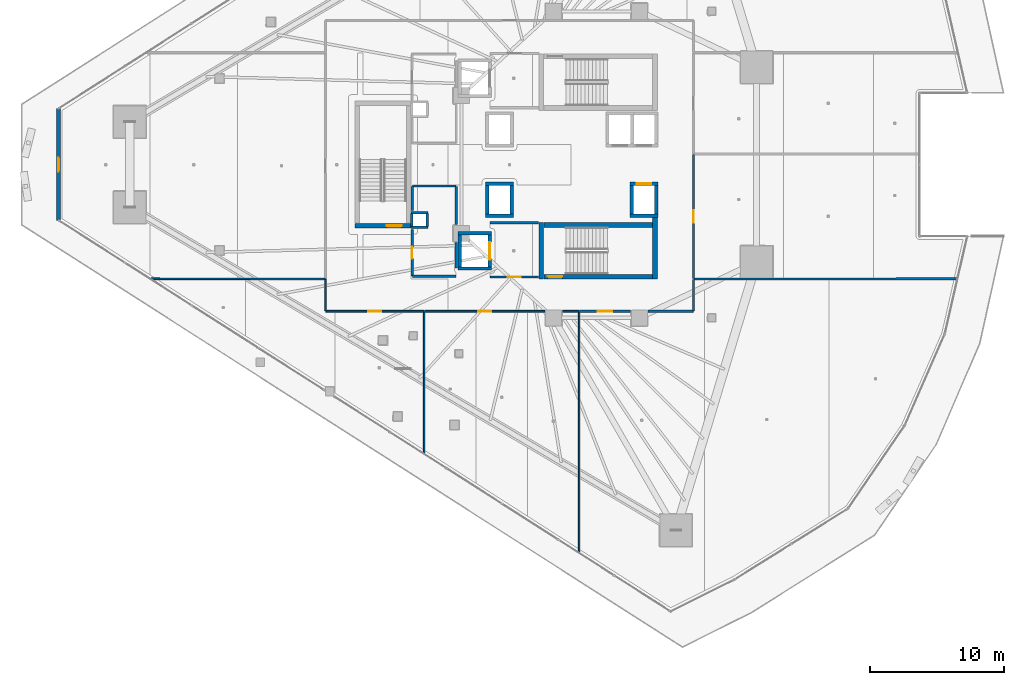
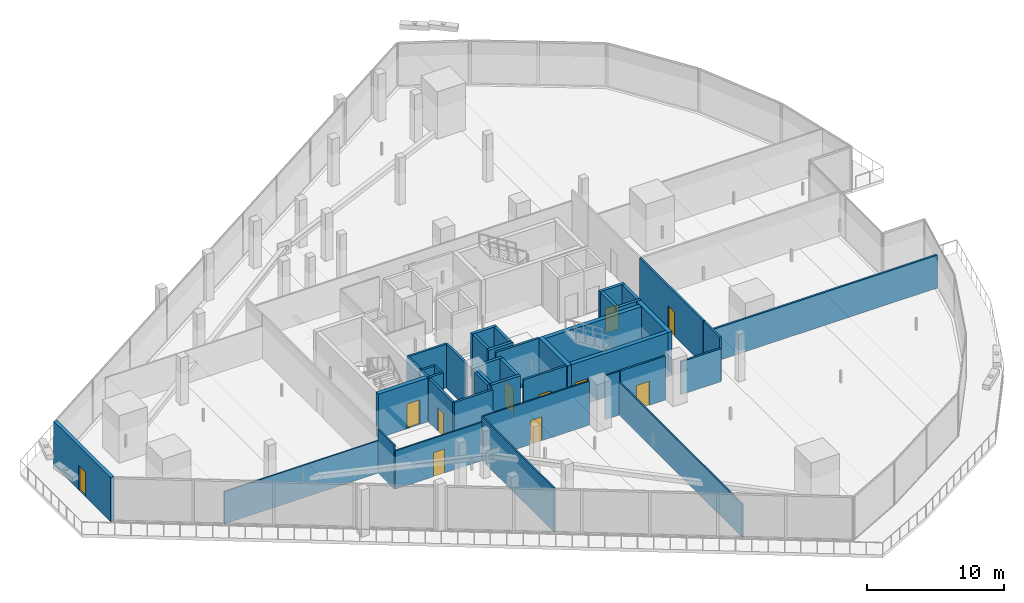
# One storey, part 30 of 45: 42 walls, 11 doors, 11 openings.
"""IFC4 building model written with IfcOpenShell, lengths in metres."""

from ifc_helpers import new_model, si_unit, direction, frame, frame_2d, origin, place, context, subcontext, project, spatial, rectangle, extrude, material, layer, layer_set, type_object, element, fill, save


model = new_model("IFC4")

# Units and contexts
model_context = context("Model", 3, precision=1e-05, world=origin(), true_north=direction((0.0, 1.0)))
body_context = subcontext(model_context, "Body", "Model", "MODEL_VIEW")
ifc_project = project(units=[si_unit("LENGTHUNIT", "METRE"), si_unit("AREAUNIT", "SQUARE_METRE"), si_unit("VOLUMEUNIT", "CUBIC_METRE"), si_unit("PLANEANGLEUNIT", "RADIAN"), si_unit("MASSUNIT", "GRAM", prefix="KILO")], contexts=[model_context])

# Site, building, storey
site_placement = place(None, origin())
site = spatial("IfcSite", under=ifc_project, at=site_placement, CompositionType="ELEMENT")
building_placement = place(site_placement, origin())
building = spatial("IfcBuilding", under=site, at=building_placement, Name="Qorvath Tower", CompositionType="ELEMENT")
storey_placement = place(building_placement, frame((0.0, 0.0, 49.199951171875)))
storey = spatial("IfcBuildingStorey", under=building, at=storey_placement, Name="L10", CompositionType="ELEMENT", Elevation=49.199951171875)

# Walls
ifc_material_1 = material(Name="Gypsum shaftliner on steel studs", Category="steel")
ifc_layer_1 = layer(ifc_material_1, 0.179931640625)
ifc_layer_set_1 = layer_set([ifc_layer_1], Name="FW-LOBBY")
wall_type_1 = type_object("IfcWallType", Name="FW-LOBBY", PredefinedType="PARTITIONING", material=ifc_layer_set_1)
for number, where, z_axis, x_axis, name in (
    (1, (-32.989990234375, -4.675048828125, 0.0), (0.0, 0.0, 1.0), (-1.0, 0.0, 0.0), "MEP Riser Shaft Enclosure Wall S-L10-S"),
    (2, (-34.260009765625, -3.594970703125, 0.0), (0.0, 0.0, 1.0), (1.0, 0.0, 0.0), "MEP Riser Shaft Enclosure Wall S-L10-N"),
):
    element("IfcWall", number, at=place(storey_placement, frame(where, z_axis=z_axis, x_axis=x_axis)), inside=storey, type_object=wall_type_1, Name=name, PredefinedType="PARTITIONING", context=body_context, shape_type="SweptSolid", body=[
        extrude(rectangle(XDim=1.27001953125, YDim=0.179931640625, at=frame_2d((0.635009765625, 0.0))), origin(), (0.0, 0.0, 1.0), 3.920166015625),
    ])
for number, where, z_axis, x_axis, name in (
    (3, (-34.205078125, -4.610107421875, 0.0), (0.0, 0.0, 1.0), (0.0, 1.0, 0.0), "MEP Riser Shaft Enclosure Wall S-L10-W"),
    (4, (-33.044921875, -3.659912109375, 0.0), (0.0, 0.0, 1.0), (0.0, -1.0, 0.0), "MEP Riser Shaft Enclosure Wall S-L10-E"),
):
    element("IfcWall", number, at=place(storey_placement, frame(where, z_axis=z_axis, x_axis=x_axis)), inside=storey, type_object=wall_type_1, Name=name, PredefinedType="PARTITIONING", context=body_context, shape_type="SweptSolid", body=[
        extrude(rectangle(XDim=0.9501953125, YDim=0.179931640625, at=frame_2d((0.47509765625, 0.0))), origin(), (0.0, 0.0, 1.0), 3.920166015625),
    ])

# Wall, opening, door
wall_1_placement = place(storey_placement, frame((-28.35498046875, -8.39990234375, 0.0), z_axis=(0.0, 0.0, 1.0), x_axis=(1.0, 0.0, 0.0)))
wall_1 = element("IfcWall", 5, at=wall_1_placement, inside=storey, type_object=wall_type_1, Name="Interior Partition IW-T1-L10-003", PredefinedType="PARTITIONING", context=body_context, shape_type="SweptSolid", body=[
    extrude(rectangle(XDim=3.6220703125, YDim=0.179931640625, at=frame_2d((1.81103515625, 0.0))), origin(), (0.0, 0.0, 1.0), 3.920166015625),
])
opening_1_placement = place(wall_1_placement, frame((1.31103515625, 0.0, 0.0)))
opening_1 = element("IfcOpeningElement", 6, at=opening_1_placement, cuts=wall_1, Name="Opening D-T1-L10-11", PredefinedType="OPENING", context=body_context, shape_type="SweptSolid", body=[
    extrude(rectangle(XDim=1.0, YDim=2.14990234375, at=frame_2d((0.5, 1.074951171875))), frame((0.0, 0.10009765625, 0.0), z_axis=(0.0, -1.0, 0.0), x_axis=(1.0, 0.0, 0.0)), (0.0, 0.0, 1.0), 0.199951171875),
])
ifc_material_2 = material(Name="Painted galvanised hollow metal", Category="steel")
door_type_1 = type_object("IfcDoorType", Name="FD-60", OperationType="NOTDEFINED", PredefinedType="DOOR", material=ifc_material_2)
door_1_placement = place(opening_1_placement, origin())
door_1 = element("IfcDoor", 7, at=door_1_placement, inside=storey, type_object=door_type_1, Name="Lobby Fire Service Elevator South Door D-T1-L10-11", OperationType="SINGLE_SWING_RIGHT", OverallHeight=2.14990234375, OverallWidth=1.0, PredefinedType="DOOR", context=body_context, shape_type="SweptSolid", body=[
    extrude(rectangle(XDim=1.0, YDim=2.14990234375, at=frame_2d((0.5, 1.074951171875))), frame((0.0, 0.02490234375, 0.0), z_axis=(0.0, -1.0, 0.0), x_axis=(1.0, 0.0, 0.0)), (0.0, 0.0, 1.0), 0.050048828125),
])
fill(opening_1, door_1)

# Walls
wall_2_placement = place(storey_placement, frame((-24.73291015625, -4.35009765625, 0.0), z_axis=(0.0, 0.0, 1.0), x_axis=(-1.0, 0.0, 0.0)))
element("IfcWall", 8, at=wall_2_placement, inside=storey, type_object=wall_type_1, Name="Interior Partition IW-T1-L10-004", PredefinedType="PARTITIONING", context=body_context, shape_type="SweptSolid", body=[
    extrude(rectangle(XDim=3.6220703125, YDim=0.179931640625, at=frame_2d((1.81103515625, 0.0))), origin(), (0.0, 0.0, 1.0), 3.920166015625),
])
wall_3_placement = place(storey_placement, frame((-34.15478515625, -8.35009765625, 0.0), z_axis=(0.0, 0.0, 1.0), x_axis=(1.0, 0.0, 0.0)))
element("IfcWall", 9, at=wall_3_placement, inside=storey, type_object=wall_type_1, Name="Interior Partition IW-T1-L10-011", PredefinedType="PARTITIONING", context=body_context, shape_type="SweptSolid", body=[
    extrude(rectangle(XDim=3.25, YDim=0.179931640625, at=frame_2d((1.625, 0.0))), origin(), (0.0, 0.0, 1.0), 3.920166015625),
])
wall_4_placement = place(storey_placement, frame((-30.8798828125, -7.742919921875, 0.0), z_axis=(0.0, 0.0, 1.0), x_axis=(0.0, 1.0, 0.0)))
element("IfcWall", 10, at=wall_4_placement, inside=storey, type_object=wall_type_1, Name="Interior Partition IW-T1-L10-012", PredefinedType="PARTITIONING", context=body_context, shape_type="SweptSolid", body=[
    extrude(rectangle(XDim=1.927978515625, YDim=0.179931640625, at=frame_2d((0.9638671875, 0.0))), origin(), (0.0, 0.0, 1.0), 3.920166015625),
])
wall_5_placement = place(storey_placement, frame((-30.8798828125, -4.485107421875, 0.0), z_axis=(0.0, 0.0, 1.0), x_axis=(0.0, 1.0, 0.0)))
element("IfcWall", 11, at=wall_5_placement, inside=storey, type_object=wall_type_1, Name="Interior Partition IW-T1-L10-013", PredefinedType="PARTITIONING", context=body_context, shape_type="SweptSolid", body=[
    extrude(rectangle(XDim=2.860107421875, YDim=0.179931640625, at=frame_2d((1.43017578125, 0.0))), origin(), (0.0, 0.0, 1.0), 3.920166015625),
])
wall_6_placement = place(storey_placement, frame((-30.90478515625, -1.60009765625, 0.0), z_axis=(0.0, 0.0, 1.0), x_axis=(-1.0, 0.0, 0.0)))
element("IfcWall", 12, at=wall_6_placement, inside=storey, type_object=wall_type_1, Name="Interior Partition IW-T1-L10-014", PredefinedType="PARTITIONING", context=body_context, shape_type="SweptSolid", body=[
    extrude(rectangle(XDim=3.25, YDim=0.179931640625, at=frame_2d((1.625, 0.0))), origin(), (0.0, 0.0, 1.0), 3.920166015625),
])
wall_7_placement = place(storey_placement, frame((-34.179931640625, -1.625, 0.0), z_axis=(0.0, 0.0, 1.0), x_axis=(0.0, -1.0, 0.0)))
element("IfcWall", 13, at=wall_7_placement, inside=storey, type_object=wall_type_1, Name="Interior Partition IW-T1-L10-015", PredefinedType="PARTITIONING", context=body_context, shape_type="SweptSolid", body=[
    extrude(rectangle(XDim=1.804931640625, YDim=0.179931640625, at=frame_2d((0.90234375, 0.0))), origin(), (0.0, 0.0, 1.0), 3.920166015625),
])

# Wall, opening, door
wall_8_placement = place(storey_placement, frame((-34.179931640625, -4.840087890625, 0.0), z_axis=(0.0, 0.0, 1.0), x_axis=(0.0, -1.0, 0.0)))
wall_8 = element("IfcWall", 14, at=wall_8_placement, inside=storey, type_object=wall_type_1, Name="Interior Partition IW-T1-L10-016", PredefinedType="PARTITIONING", context=body_context, shape_type="SweptSolid", body=[
    extrude(rectangle(XDim=3.485107421875, YDim=0.179931640625, at=frame_2d((1.74267578125, 0.0))), origin(), (0.0, 0.0, 1.0), 3.920166015625),
])
opening_2_placement = place(wall_8_placement, frame((1.302490234375, 0.0, 0.0)))
opening_2 = element("IfcOpeningElement", 15, at=opening_2_placement, cuts=wall_8, Name="Opening D-T1-L10-02", PredefinedType="OPENING", context=body_context, shape_type="SweptSolid", body=[
    extrude(rectangle(XDim=0.8798828125, YDim=2.10009765625, at=frame_2d((0.43994140625, 1.050048828125))), frame((0.0, 0.10009765625, 0.0), z_axis=(0.0, -1.0, 0.0), x_axis=(1.0, 0.0, 0.0)), (0.0, 0.0, 1.0), 0.199951171875),
])
ifc_material_3 = material(Name="Painted galvanised hollow metal", Category="steel")
door_type_2 = type_object("IfcDoorType", Name="FD-60N", OperationType="NOTDEFINED", PredefinedType="DOOR", material=ifc_material_3)
door_2_placement = place(opening_2_placement, origin())
door_2 = element("IfcDoor", 16, at=door_2_placement, inside=storey, type_object=door_type_2, Name="Core electrical and cleaner room L10 Door D-T1-L10-02", OperationType="SINGLE_SWING_LEFT", OverallHeight=2.10009765625, OverallWidth=0.8798828125, PredefinedType="DOOR", context=body_context, shape_type="SweptSolid", body=[
    extrude(rectangle(XDim=0.8798828125, YDim=2.10009765625, at=frame_2d((0.43994140625, 1.050048828125))), frame((0.0, 0.02490234375, 0.0), z_axis=(0.0, -1.0, 0.0), x_axis=(1.0, 0.0, 0.0)), (0.0, 0.0, 1.0), 0.050048828125),
])
fill(opening_2, door_2)

# Walls
ifc_material_4 = material(Name="Double acoustic gypsum board on steel studs", Category="steel")
ifc_layer_2 = layer(ifc_material_4, 0.159912109375)
ifc_layer_set_2 = layer_set([ifc_layer_2], Name="IW-ACOUSTIC-160")
wall_type_2 = type_object("IfcWallType", Name="IW-ACOUSTIC-160", PredefinedType="PARTITIONING", material=ifc_layer_set_2)
wall_9_placement = place(storey_placement, frame((6.501953125, -8.53466796875, 0.0), z_axis=(0.0, 0.0, 1.0), x_axis=(-0.999999692694, -0.000783971885, 0.0)))
element("IfcWall", 17, at=wall_9_placement, inside=storey, type_object=wall_type_2, Name="Interior Partition IW-T1-L10-030", PredefinedType="PARTITIONING", context=body_context, shape_type="SweptSolid", body=[
    extrude(rectangle(XDim=19.619140625, YDim=0.159912109375, at=frame_2d((9.8095703125, 0.0))), origin(), (0.0, 0.0, 1.0), 2.95703125),
])
wall_10_placement = place(storey_placement, frame((-13.14208984375, -8.574951171875, 0.0), z_axis=(0.0, 0.0, 1.0), x_axis=(0.0, -1.0, 0.0)))
element("IfcWall", 18, at=wall_10_placement, inside=storey, type_object=wall_type_2, Name="Interior Partition IW-T1-L10-031", PredefinedType="PARTITIONING", context=body_context, shape_type="SweptSolid", body=[
    extrude(rectangle(XDim=2.358154296875, YDim=0.159912109375, at=frame_2d((1.17919921875, 0.0))), origin(), (0.0, 0.0, 1.0), 3.920166015625),
])
wall_11_placement = place(storey_placement, frame((-13.1669921875, -10.9580078125, 0.0), z_axis=(0.0, 0.0, 1.0), x_axis=(-1.0, 0.0, 0.0)))
element("IfcWall", 19, at=wall_11_placement, inside=storey, type_object=wall_type_2, Name="Interior Partition IW-T1-L10-032", PredefinedType="PARTITIONING", context=body_context, shape_type="SweptSolid", body=[
    extrude(rectangle(XDim=3.367919921875, YDim=0.159912109375, at=frame_2d((1.68408203125, 0.0))), origin(), (0.0, 0.0, 1.0), 2.95703125),
])

# Wall, opening, door
wall_12_placement = place(storey_placement, frame((-17.864990234375, -10.9580078125, 0.0), z_axis=(0.0, 0.0, 1.0), x_axis=(-1.0, 0.0, 0.0)))
wall_12 = element("IfcWall", 20, at=wall_12_placement, inside=storey, type_object=wall_type_2, Name="Interior Partition IW-T1-L10-033", PredefinedType="PARTITIONING", context=body_context, shape_type="SweptSolid", body=[
    extrude(rectangle(XDim=3.79736328125, YDim=0.159912109375, at=frame_2d((1.898681640625, 0.0))), origin(), (0.0, 0.0, 1.0), 3.920166015625),
])
opening_3_placement = place(wall_12_placement, frame((1.3486328125, 0.0, 0.0)))
opening_3 = element("IfcOpeningElement", 21, at=opening_3_placement, cuts=wall_12, Name="Opening D-T1-L10-06", PredefinedType="OPENING", context=body_context, shape_type="SweptSolid", body=[
    extrude(rectangle(XDim=1.10009765625, YDim=2.14990234375, at=frame_2d((0.550048828125, 1.074951171875))), frame((0.0, 0.08984375, 0.0), z_axis=(0.0, -1.0, 0.0), x_axis=(1.0, 0.0, 0.0)), (0.0, 0.0, 1.0), 0.179931640625),
])
ifc_material_5 = material(Name="Anodised aluminium acoustic framed glass", Category="aluminium")
door_type_3 = type_object("IfcDoorType", Name="D-03", OperationType="NOTDEFINED", PredefinedType="DOOR", material=ifc_material_5)
door_3_placement = place(opening_3_placement, origin())
door_3 = element("IfcDoor", 22, at=door_3_placement, inside=storey, type_object=door_type_3, Name="L10-04 Client Services Office Door D-T1-L10-06", OperationType="SINGLE_SWING_LEFT", OverallHeight=2.14990234375, OverallWidth=1.10009765625, PredefinedType="DOOR", context=body_context, shape_type="SweptSolid", body=[
    extrude(rectangle(XDim=1.10009765625, YDim=2.14990234375, at=frame_2d((0.550048828125, 1.074951171875))), frame((0.0, 0.02490234375, 0.0), z_axis=(0.0, -1.0, 0.0), x_axis=(1.0, 0.0, 0.0)), (0.0, 0.0, 1.0), 0.050048828125),
])
fill(opening_3, door_3)

wall_13_placement = place(storey_placement, frame((-13.14208984375, 0.766357421875, 0.0), z_axis=(0.0, 0.0, 1.0), x_axis=(0.0, -1.0, 0.0)))
wall_13 = element("IfcWall", 23, at=wall_13_placement, inside=storey, type_object=wall_type_2, Name="Interior Partition IW-T1-L10-035", PredefinedType="PARTITIONING", context=body_context, shape_type="SweptSolid", body=[
    extrude(rectangle(XDim=9.283447265625, YDim=0.159912109375, at=frame_2d((4.6416015625, 0.0))), origin(), (0.0, 0.0, 1.0), 3.920166015625),
])
opening_4_placement = place(wall_13_placement, frame((4.166748046875, 0.0, 0.0)))
opening_4 = element("IfcOpeningElement", 24, at=opening_4_placement, cuts=wall_13, Name="Opening D-T1-L10-07", PredefinedType="OPENING", context=body_context, shape_type="SweptSolid", body=[
    extrude(rectangle(XDim=0.949951171875, YDim=2.14990234375, at=frame_2d((0.47509765625, 1.074951171875))), frame((0.0, 0.08984375, 0.0), z_axis=(0.0, -1.0, 0.0), x_axis=(1.0, 0.0, 0.0)), (0.0, 0.0, 1.0), 0.179931640625),
])
ifc_material_6 = material(Name="Solid-core American white oak veneer", Category="wood")
door_type_4 = type_object("IfcDoorType", Name="D-01", OperationType="NOTDEFINED", PredefinedType="DOOR", material=ifc_material_6)
door_4_placement = place(opening_4_placement, origin())
door_4 = element("IfcDoor", 25, at=door_4_placement, inside=storey, type_object=door_type_4, Name="L10-05 Staff Wellness Studio Door D-T1-L10-07", OperationType="SINGLE_SWING_RIGHT", OverallHeight=2.14990234375, OverallWidth=0.949951171875, PredefinedType="DOOR", context=body_context, shape_type="SweptSolid", body=[
    extrude(rectangle(XDim=0.949951171875, YDim=2.14990234375, at=frame_2d((0.47509765625, 1.074951171875))), frame((0.0, 0.02490234375, 0.0), z_axis=(0.0, -1.0, 0.0), x_axis=(1.0, 0.0, 0.0)), (0.0, 0.0, 1.0), 0.050048828125),
])
fill(opening_4, door_4)

# Wall
ifc_material_7 = material(Name="Gypsum board on metal studs with mineral wool", Category="gypsum")
ifc_layer_3 = layer(ifc_material_7, 0.125)
ifc_layer_set_3 = layer_set([ifc_layer_3], Name="IW-PART-125")
wall_type_3 = type_object("IfcWallType", Name="IW-PART-125", PredefinedType="PARTITIONING", material=ifc_layer_set_3)
wall_14_placement = place(storey_placement, frame((-33.282470703125, -21.55615234375, 0.0), z_axis=(0.0, 0.0, 1.0), x_axis=(0.0, 1.0, 0.0)))
element("IfcWall", 26, at=wall_14_placement, inside=storey, type_object=wall_type_3, Name="Interior Partition IW-T1-L10-023", PredefinedType="PARTITIONING", context=body_context, shape_type="SweptSolid", body=[
    extrude(rectangle(XDim=10.5732421875, YDim=0.125, at=frame_2d((5.28662109375, 0.0))), origin(), (0.0, 0.0, 1.0), 3.920166015625),
])

# Wall, opening, door
wall_15_placement = place(storey_placement, frame((-33.3076171875, -10.9580078125, 0.0), z_axis=(0.0, 0.0, 1.0), x_axis=(-1.0, 0.0, 0.0)))
wall_15 = element("IfcWall", 27, at=wall_15_placement, inside=storey, type_object=wall_type_3, Name="Interior Partition IW-T1-L10-024", PredefinedType="PARTITIONING", context=body_context, shape_type="SweptSolid", body=[
    extrude(rectangle(XDim=7.325439453125, YDim=0.125, at=frame_2d((3.66259765625, 0.0))), origin(), (0.0, 0.0, 1.0), 3.43310546875),
])
opening_5_placement = place(wall_15_placement, frame((3.187744140625, 0.0, 0.0)))
opening_5 = element("IfcOpeningElement", 28, at=opening_5_placement, cuts=wall_15, Name="Opening D-T1-L10-04", PredefinedType="OPENING", context=body_context, shape_type="SweptSolid", body=[
    extrude(rectangle(XDim=0.949951171875, YDim=2.14990234375, at=frame_2d((0.47509765625, 1.074951171875))), frame((0.0, 0.072509765625, 0.0), z_axis=(0.0, -1.0, 0.0), x_axis=(1.0, 0.0, 0.0)), (0.0, 0.0, 1.0), 0.14501953125),
])
door_5_placement = place(opening_5_placement, origin())
door_5 = element("IfcDoor", 29, at=door_5_placement, inside=storey, type_object=door_type_4, Name="L10-02 Focus Collaboration Pod Door D-T1-L10-04", OperationType="SINGLE_SWING_LEFT", OverallHeight=2.14990234375, OverallWidth=0.949951171875, PredefinedType="DOOR", context=body_context, shape_type="SweptSolid", body=[
    extrude(rectangle(XDim=0.949951171875, YDim=2.14990234375, at=frame_2d((0.47509765625, 1.074951171875))), frame((0.0, 0.02490234375, 0.0), z_axis=(0.0, -1.0, 0.0), x_axis=(1.0, 0.0, 0.0)), (0.0, 0.0, 1.0), 0.050048828125),
])
fill(opening_5, door_5)

# Walls
wall_16_placement = place(storey_placement, frame((-40.657958984375, -8.574951171875, 0.0), z_axis=(0.0, 0.0, 1.0), x_axis=(0.0, -1.0, 0.0)))
element("IfcWall", 30, at=wall_16_placement, inside=storey, type_object=wall_type_3, Name="Interior Partition IW-T1-L10-025", PredefinedType="PARTITIONING", context=body_context, shape_type="SweptSolid", body=[
    extrude(rectangle(XDim=2.358154296875, YDim=0.125, at=frame_2d((1.17919921875, 0.0))), origin(), (0.0, 0.0, 1.0), 3.920166015625),
])
wall_17_placement = place(storey_placement, frame((-40.68310546875, -8.550048828125, 0.0), z_axis=(0.0, 0.0, 1.0), x_axis=(-0.99999962754, 0.000863087657, 0.0)))
element("IfcWall", 31, at=wall_17_placement, inside=storey, type_object=wall_type_3, Name="Interior Partition IW-T1-L10-026", PredefinedType="PARTITIONING", context=body_context, shape_type="SweptSolid", body=[
    extrude(rectangle(XDim=13.011962890625, YDim=0.125, at=frame_2d((6.505859375, 0.0))), origin(), (0.0, 0.0, 1.0), 2.89013671875),
])

# Wall, opening, door
wall_18_placement = place(storey_placement, frame((-24.264892578125, -10.9580078125, 0.0), z_axis=(0.0, 0.0, 1.0), x_axis=(-1.0, 0.0, 0.0)))
wall_18 = element("IfcWall", 32, at=wall_18_placement, inside=storey, type_object=wall_type_3, Name="Interior Partition IW-T1-L10-027", PredefinedType="PARTITIONING", context=body_context, shape_type="SweptSolid", body=[
    extrude(rectangle(XDim=8.98486328125, YDim=0.125, at=frame_2d((4.492431640625, 0.0))), origin(), (0.0, 0.0, 1.0), 3.920166015625),
])
opening_6_placement = place(wall_18_placement, frame((4.017333984375, 0.0, 0.0)))
opening_6 = element("IfcOpeningElement", 33, at=opening_6_placement, cuts=wall_18, Name="Opening D-T1-L10-05", PredefinedType="OPENING", context=body_context, shape_type="SweptSolid", body=[
    extrude(rectangle(XDim=0.949951171875, YDim=2.14990234375, at=frame_2d((0.47509765625, 1.074951171875))), frame((0.0, 0.072509765625, 0.0), z_axis=(0.0, -1.0, 0.0), x_axis=(1.0, 0.0, 0.0)), (0.0, 0.0, 1.0), 0.14501953125),
])
door_6_placement = place(opening_6_placement, origin())
door_6 = element("IfcDoor", 34, at=door_6_placement, inside=storey, type_object=door_type_4, Name="L10-03 Staff Refreshment Pantry and Coffee Bar Door D-T1-L10-05", OperationType="SINGLE_SWING_RIGHT", OverallHeight=2.14990234375, OverallWidth=0.949951171875, PredefinedType="DOOR", context=body_context, shape_type="SweptSolid", body=[
    extrude(rectangle(XDim=0.949951171875, YDim=2.14990234375, at=frame_2d((0.47509765625, 1.074951171875))), frame((0.0, 0.02490234375, 0.0), z_axis=(0.0, -1.0, 0.0), x_axis=(1.0, 0.0, 0.0)), (0.0, 0.0, 1.0), 0.050048828125),
])
fill(opening_6, door_6)

# Walls
wall_19_placement = place(storey_placement, frame((-21.6953125, -28.9619140625, 0.0), z_axis=(0.0, 0.0, 1.0), x_axis=(0.0, 1.0, 0.0)))
element("IfcWall", 35, at=wall_19_placement, inside=storey, type_object=wall_type_3, Name="Interior Partition IW-T1-L10-028", PredefinedType="PARTITIONING", context=body_context, shape_type="SweptSolid", body=[
    extrude(rectangle(XDim=17.97900390625, YDim=0.125, at=frame_2d((8.989501953125, 0.0))), origin(), (0.0, 0.0, 1.0), 2.95703125),
])
wall_20_placement = place(storey_placement, frame((-21.72021484375, -10.9580078125, 0.0), z_axis=(0.0, 0.0, 1.0), x_axis=(-1.0, 0.0, 0.0)))
element("IfcWall", 36, at=wall_20_placement, inside=storey, type_object=wall_type_3, Name="Interior Partition IW-T1-L10-029", PredefinedType="PARTITIONING", context=body_context, shape_type="SweptSolid", body=[
    extrude(rectangle(XDim=1.21484375, YDim=0.125, at=frame_2d((0.607421875, 0.0))), origin(), (0.0, 0.0, 1.0), 3.920166015625),
])
ifc_material_8 = material(Name="Concrete C60/75", Category="concrete")
ifc_layer_4 = layer(ifc_material_8, 0.260009765625)
ifc_layer_set_4 = layer_set([ifc_layer_4], Name="SW-SHAFT")
wall_type_4 = type_object("IfcWallType", Name="SW-SHAFT", PredefinedType="SHEAR", material=ifc_layer_set_4)
for number, where, z_axis, x_axis, name in (
    (37, (-28.260009765625, -7.77001953125, 0.0), (0.0, 0.0, 1.0), (-1.0, 0.0, 0.0), "Hoistway Wall FSAE-2 L10 S"),
    (38, (-30.739990234375, -5.1298828125, 0.0), (0.0, 0.0, 1.0), (1.0, 0.0, 0.0), "Hoistway Wall FSAE-2 L10 N"),
):
    element("IfcWall", number, at=place(storey_placement, frame(where, z_axis=z_axis, x_axis=x_axis)), inside=storey, type_object=wall_type_4, Name=name, PredefinedType="SHEAR", context=body_context, shape_type="SweptSolid", body=[
        extrude(rectangle(XDim=2.47998046875, YDim=0.239990234375, at=frame_2d((1.239990234375, 0.0))), origin(), (0.0, 0.0, 1.0), 3.920166015625),
    ])
wall_21_placement = place(storey_placement, frame((-30.6201171875, -7.637939453125, 0.0), z_axis=(0.0, 0.0, 1.0), x_axis=(0.0, 1.0, 0.0)))
element("IfcWall", 39, at=wall_21_placement, inside=storey, type_object=wall_type_4, Name="Hoistway Wall FSAE-2 L10 W", PredefinedType="SHEAR", context=body_context, shape_type="SweptSolid", body=[
    extrude(rectangle(XDim=2.3759765625, YDim=0.239990234375, at=frame_2d((1.18798828125, 0.0))), origin(), (0.0, 0.0, 1.0), 3.920166015625),
])

# Wall, opening, door
wall_22_placement = place(storey_placement, frame((-28.3798828125, -5.261962890625, 0.0), z_axis=(0.0, 0.0, 1.0), x_axis=(0.0, -1.0, 0.0)))
wall_22 = element("IfcWall", 40, at=wall_22_placement, inside=storey, type_object=wall_type_4, Name="Hoistway Wall FSAE-2 L10 E", PredefinedType="SHEAR", context=body_context, shape_type="SweptSolid", body=[
    extrude(rectangle(XDim=2.3759765625, YDim=0.239990234375, at=frame_2d((1.18798828125, 0.0))), origin(), (0.0, 0.0, 1.0), 3.920166015625),
])
opening_7_placement = place(wall_22_placement, frame((0.5380859375, 0.0, 0.0)))
opening_7 = element("IfcOpeningElement", 41, at=opening_7_placement, cuts=wall_22, Name="Opening LD-FSAE-2-L10", PredefinedType="OPENING", context=body_context, shape_type="SweptSolid", body=[
    extrude(rectangle(XDim=1.300048828125, YDim=2.300048828125, at=frame_2d((0.64990234375, 1.14990234375))), frame((0.0, 0.1298828125, 0.0), z_axis=(0.0, -1.0, 0.0), x_axis=(1.0, 0.0, 0.0)), (0.0, 0.0, 1.0), 0.260009765625),
])
ifc_material_9 = material(Name="Brushed stainless steel AISI 316", Category="steel")
door_type_5 = type_object("IfcDoorType", Name="LD-02", OperationType="NOTDEFINED", PredefinedType="DOOR", material=ifc_material_9)
door_7_placement = place(opening_7_placement, origin())
door_7 = element("IfcDoor", 42, at=door_7_placement, inside=storey, type_object=door_type_5, Name="Elevator Landing Sliding Door LD-FSAE-2-L10", OperationType="DOUBLE_DOOR_SLIDING", OverallHeight=2.300048828125, OverallWidth=1.300048828125, PredefinedType="DOOR", context=body_context, shape_type="SweptSolid", body=[
    extrude(rectangle(XDim=1.300048828125, YDim=2.300048828125, at=frame_2d((0.64990234375, 1.14990234375))), frame((0.0, 0.02490234375, 0.0), z_axis=(0.0, -1.0, 0.0), x_axis=(1.0, 0.0, 0.0)), (0.0, 0.0, 1.0), 0.050048828125),
])
fill(opening_7, door_7)

# Walls
for number, where, z_axis, x_axis, name in (
    (43, (-26.610107421875, -3.820068359375, 0.0), (0.0, 0.0, 1.0), (-1.0, 0.0, 0.0), "Hoistway Wall PS-2 L10 S"),
    (44, (-28.68994140625, -1.429931640625, 0.0), (0.0, 0.0, 1.0), (1.0, 0.0, 0.0), "Hoistway Wall PS-2 L10 N"),
):
    element("IfcWall", number, at=place(storey_placement, frame(where, z_axis=z_axis, x_axis=x_axis)), inside=storey, type_object=wall_type_4, Name=name, PredefinedType="SHEAR", context=body_context, shape_type="SweptSolid", body=[
        extrude(rectangle(XDim=2.079833984375, YDim=0.239990234375, at=frame_2d((1.0400390625, 0.0))), origin(), (0.0, 0.0, 1.0), 3.920166015625),
    ])
for number, where, z_axis, x_axis, name in (
    (45, (-28.570068359375, -3.68798828125, 0.0), (0.0, 0.0, 1.0), (0.0, 1.0, 0.0), "Hoistway Wall PS-2 L10 W"),
    (46, (-26.72998046875, -1.56201171875, 0.0), (0.0, 0.0, 1.0), (0.0, -1.0, 0.0), "Hoistway Wall PS-2 L10 E"),
):
    element("IfcWall", number, at=place(storey_placement, frame(where, z_axis=z_axis, x_axis=x_axis)), inside=storey, type_object=wall_type_4, Name=name, PredefinedType="SHEAR", context=body_context, shape_type="SweptSolid", body=[
        extrude(rectangle(XDim=2.1259765625, YDim=0.239990234375, at=frame_2d((1.06298828125, 0.0))), origin(), (0.0, 0.0, 1.0), 3.920166015625),
    ])
wall_23_placement = place(storey_placement, frame((-15.81005859375, -3.820068359375, 0.0), z_axis=(0.0, 0.0, 1.0), x_axis=(-1.0, 0.0, 0.0)))
element("IfcWall", 47, at=wall_23_placement, inside=storey, type_object=wall_type_4, Name="Hoistway Wall PL-2 L10 S", PredefinedType="SHEAR", context=body_context, shape_type="SweptSolid", body=[
    extrude(rectangle(XDim=2.079833984375, YDim=0.239990234375, at=frame_2d((1.0400390625, 0.0))), origin(), (0.0, 0.0, 1.0), 3.920166015625),
])

# Wall, opening, door
wall_24_placement = place(storey_placement, frame((-17.889892578125, -1.429931640625, 0.0), z_axis=(0.0, 0.0, 1.0), x_axis=(1.0, 0.0, 0.0)))
wall_24 = element("IfcWall", 48, at=wall_24_placement, inside=storey, type_object=wall_type_4, Name="Hoistway Wall PL-2 L10 N", PredefinedType="SHEAR", context=body_context, shape_type="SweptSolid", body=[
    extrude(rectangle(XDim=2.079833984375, YDim=0.239990234375, at=frame_2d((1.0400390625, 0.0))), origin(), (0.0, 0.0, 1.0), 3.920166015625),
])
opening_8_placement = place(wall_24_placement, frame((0.48974609375, 0.0, 0.0)))
opening_8 = element("IfcOpeningElement", 49, at=opening_8_placement, cuts=wall_24, Name="Opening LD-PL-2-L10", PredefinedType="OPENING", context=body_context, shape_type="SweptSolid", body=[
    extrude(rectangle(XDim=1.10009765625, YDim=2.199951171875, at=frame_2d((0.550048828125, 1.10009765625))), frame((0.0, 0.1298828125, 0.0), z_axis=(0.0, -1.0, 0.0), x_axis=(1.0, 0.0, 0.0)), (0.0, 0.0, 1.0), 0.260009765625),
])
ifc_material_10 = material(Name="Brushed stainless steel AISI 316", Category="steel")
door_type_6 = type_object("IfcDoorType", Name="LD-01", OperationType="NOTDEFINED", PredefinedType="DOOR", material=ifc_material_10)
door_8_placement = place(opening_8_placement, origin())
door_8 = element("IfcDoor", 50, at=door_8_placement, inside=storey, type_object=door_type_6, Name="Elevator Landing Sliding Door LD-PL-2-L10", OperationType="DOUBLE_DOOR_SLIDING", OverallHeight=2.199951171875, OverallWidth=1.10009765625, PredefinedType="DOOR", context=body_context, shape_type="SweptSolid", body=[
    extrude(rectangle(XDim=1.10009765625, YDim=2.199951171875, at=frame_2d((0.550048828125, 1.10009765625))), frame((0.0, 0.02490234375, 0.0), z_axis=(0.0, -1.0, 0.0), x_axis=(1.0, 0.0, 0.0)), (0.0, 0.0, 1.0), 0.050048828125),
])
fill(opening_8, door_8)

# Walls
for number, where, z_axis, x_axis, name in (
    (51, (-17.77001953125, -3.68798828125, 0.0), (0.0, 0.0, 1.0), (0.0, 1.0, 0.0), "Hoistway Wall PL-2 L10 W"),
    (52, (-15.929931640625, -1.56201171875, 0.0), (0.0, 0.0, 1.0), (0.0, -1.0, 0.0), "Hoistway Wall PL-2 L10 E"),
):
    element("IfcWall", number, at=place(storey_placement, frame(where, z_axis=z_axis, x_axis=x_axis)), inside=storey, type_object=wall_type_4, Name=name, PredefinedType="SHEAR", context=body_context, shape_type="SweptSolid", body=[
        extrude(rectangle(XDim=2.1259765625, YDim=0.239990234375, at=frame_2d((1.06298828125, 0.0))), origin(), (0.0, 0.0, 1.0), 3.920166015625),
    ])
ifc_material_11 = material(Name="Concrete C60/75", Category="concrete")
ifc_layer_5 = layer(ifc_material_11, 0.35009765625)
ifc_layer_set_5 = layer_set([ifc_layer_5], Name="SW-STAIR")
wall_type_5 = type_object("IfcWallType", Name="SW-STAIR", PredefinedType="SHEAR", material=ifc_layer_set_5)
wall_25_placement = place(storey_placement, frame((-24.52490234375, -4.340087890625, 0.0), z_axis=(0.0, 0.0, 1.0), x_axis=(0.0, -1.0, 0.0)))
element("IfcWall", 53, at=wall_25_placement, inside=storey, type_object=wall_type_5, Name="Stair TS2 Shear Wall L10 NEAR", PredefinedType="SHEAR", context=body_context, shape_type="SweptSolid", body=[
    extrude(rectangle(XDim=4.2099609375, YDim=0.35009765625, at=frame_2d((2.10498046875, 0.0))), origin(), (0.0, 0.0, 1.0), 3.920166015625),
])
wall_26_placement = place(storey_placement, frame((-16.02490234375, -8.550048828125, 0.0), z_axis=(0.0, 0.0, 1.0), x_axis=(0.0, 1.0, 0.0)))
element("IfcWall", 54, at=wall_26_placement, inside=storey, type_object=wall_type_5, Name="Stair TS2 Shear Wall L10 FAR", PredefinedType="SHEAR", context=body_context, shape_type="SweptSolid", body=[
    extrude(rectangle(XDim=4.610107421875, YDim=0.35009765625, at=frame_2d((2.30517578125, 0.0))), origin(), (0.0, 0.0, 1.0), 3.920166015625),
])

# Wall, opening, door
wall_27_placement = place(storey_placement, frame((-24.3349609375, -8.375, 0.0), z_axis=(0.0, 0.0, 1.0), x_axis=(1.0, 0.0, 0.0)))
wall_27 = element("IfcWall", 55, at=wall_27_placement, inside=storey, type_object=wall_type_5, Name="Stair TS2 Shear Wall L10 LEFT", PredefinedType="SHEAR", context=body_context, shape_type="SweptSolid", body=[
    extrude(rectangle(XDim=8.119873046875, YDim=0.35009765625, at=frame_2d((4.06005859375, 0.0))), origin(), (0.0, 0.0, 1.0), 3.920166015625),
])
opening_9_placement = place(wall_27_placement, frame((0.280029296875, 0.0, 0.0)))
opening_9 = element("IfcOpeningElement", 56, at=opening_9_placement, cuts=wall_27, Name="Opening D-TS2-L10", PredefinedType="OPENING", context=body_context, shape_type="SweptSolid", body=[
    extrude(rectangle(XDim=1.10009765625, YDim=2.199951171875, at=frame_2d((0.550048828125, 1.10009765625))), frame((0.0, 0.18505859375, 0.0), z_axis=(0.0, -1.0, 0.0), x_axis=(1.0, 0.0, 0.0)), (0.0, 0.0, 1.0), 0.3701171875),
])
ifc_material_12 = material(Name="Painted galvanised hollow metal", Category="steel")
door_type_7 = type_object("IfcDoorType", Name="FD-90", OperationType="NOTDEFINED", PredefinedType="DOOR", material=ifc_material_12)
door_9_placement = place(opening_9_placement, origin())
door_9 = element("IfcDoor", 57, at=door_9_placement, inside=storey, type_object=door_type_7, Name="Stair TS2 Fire Door L10", OperationType="SINGLE_SWING_LEFT", OverallHeight=2.199951171875, OverallWidth=1.10009765625, PredefinedType="DOOR", context=body_context, shape_type="SweptSolid", body=[
    extrude(rectangle(XDim=1.10009765625, YDim=2.199951171875, at=frame_2d((0.550048828125, 1.10009765625))), frame((0.0, 0.02490234375, 0.0), z_axis=(0.0, -1.0, 0.0), x_axis=(1.0, 0.0, 0.0)), (0.0, 0.0, 1.0), 0.050048828125),
])
fill(opening_9, door_9)

# Wall
wall_28_placement = place(storey_placement, frame((-16.215087890625, -4.514892578125, 0.0), z_axis=(0.0, 0.0, 1.0), x_axis=(-1.0, 0.0, 0.0)))
element("IfcWall", 58, at=wall_28_placement, inside=storey, type_object=wall_type_5, Name="Stair TS2 Shear Wall L10 RIGHT", PredefinedType="SHEAR", context=body_context, shape_type="SweptSolid", body=[
    extrude(rectangle(XDim=8.119873046875, YDim=0.35009765625, at=frame_2d((4.06005859375, 0.0))), origin(), (0.0, 0.0, 1.0), 3.920166015625),
])

# Wall, opening, door
wall_29_placement = place(storey_placement, frame((-38.4599609375, -4.574951171875, 0.0), z_axis=(0.0, 0.0, 1.0), x_axis=(1.0, 0.0, 0.0)))
wall_29 = element("IfcWall", 59, at=wall_29_placement, inside=storey, type_object=wall_type_5, Name="Stair TS3 Shear Wall L10 NEAR", PredefinedType="SHEAR", context=body_context, shape_type="SweptSolid", body=[
    extrude(rectangle(XDim=4.2099609375, YDim=0.35009765625, at=frame_2d((2.10498046875, 0.0))), origin(), (0.0, 0.0, 1.0), 3.920166015625),
])
opening_10_placement = place(wall_29_placement, frame((2.389892578125, 0.0, 0.0)))
opening_10 = element("IfcOpeningElement", 60, at=opening_10_placement, cuts=wall_29, Name="Opening D-TS3-L10", PredefinedType="OPENING", context=body_context, shape_type="SweptSolid", body=[
    extrude(rectangle(XDim=1.10009765625, YDim=2.199951171875, at=frame_2d((0.550048828125, 1.10009765625))), frame((0.0, 0.18505859375, 0.0), z_axis=(0.0, -1.0, 0.0), x_axis=(1.0, 0.0, 0.0)), (0.0, 0.0, 1.0), 0.3701171875),
])
door_10_placement = place(opening_10_placement, origin())
door_10 = element("IfcDoor", 61, at=door_10_placement, inside=storey, type_object=door_type_7, Name="Stair TS3 Fire Door L10", OperationType="SINGLE_SWING_LEFT", OverallHeight=2.199951171875, OverallWidth=1.10009765625, PredefinedType="DOOR", context=body_context, shape_type="SweptSolid", body=[
    extrude(rectangle(XDim=1.10009765625, YDim=2.199951171875, at=frame_2d((0.550048828125, 1.10009765625))), frame((0.0, 0.02490234375, 0.0), z_axis=(0.0, -1.0, 0.0), x_axis=(1.0, 0.0, 0.0)), (0.0, 0.0, 1.0), 0.050048828125),
])
fill(opening_10, door_10)

ifc_material_13 = material(Name="Precast concrete C45/55", Category="concrete")
ifc_layer_6 = layer(ifc_material_13, 0.300048828125)
ifc_layer_set_6 = layer_set([ifc_layer_6], Name="WL-EW-LOG-300")
wall_type_6 = type_object("IfcWallType", Name="WL-EW-LOG-300", PredefinedType="SOLIDWALL", material=ifc_layer_set_6)
wall_30_placement = place(storey_placement, frame((-60.60107421875, -4.176025390625, 0.0), z_axis=(0.0, 0.0, 1.0), x_axis=(0.0, 1.0, 0.0)))
wall_30 = element("IfcWall", 62, at=wall_30_placement, inside=storey, type_object=wall_type_6, Name="Tower Precast Loggia Wall L10-1.1", PredefinedType="SOLIDWALL", context=body_context, shape_type="SweptSolid", body=[
    extrude(rectangle(XDim=8.35205078125, YDim=0.300048828125, at=frame_2d((4.176025390625, 0.0))), origin(), (0.0, 0.0, 1.0), 3.920166015625),
])
opening_11_placement = place(wall_30_placement, frame((3.65087890625, 0.0, 0.0)))
opening_11 = element("IfcOpeningElement", 63, at=opening_11_placement, cuts=wall_30, Name="Opening ED-L10-01", PredefinedType="OPENING", context=body_context, shape_type="SweptSolid", body=[
    extrude(rectangle(XDim=1.050048828125, YDim=2.199951171875, at=frame_2d((0.52490234375, 1.10009765625))), frame((0.0, 0.16015625, 0.0), z_axis=(0.0, -1.0, 0.0), x_axis=(1.0, 0.0, 0.0)), (0.0, 0.0, 1.0), 0.320068359375),
])
ifc_material_14 = material(Name="Thermally broken aluminium glazed door", Category="aluminium")
door_type_8 = type_object("IfcDoorType", Name="ED-LOG", OperationType="NOTDEFINED", PredefinedType="DOOR", material=ifc_material_14)
door_11_placement = place(opening_11_placement, origin())
door_11 = element("IfcDoor", 64, at=door_11_placement, inside=storey, type_object=door_type_8, Name="L10 Recessed Loggia Access Door 1", OperationType="SINGLE_SWING_LEFT", OverallHeight=2.199951171875, OverallWidth=1.050048828125, PredefinedType="DOOR", context=body_context, shape_type="SweptSolid", body=[
    extrude(rectangle(XDim=1.050048828125, YDim=2.199951171875, at=frame_2d((0.52490234375, 1.10009765625))), frame((0.0, 0.02490234375, 0.0), z_axis=(0.0, -1.0, 0.0), x_axis=(1.0, 0.0, 0.0)), (0.0, 0.0, 1.0), 0.050048828125),
])
fill(opening_11, door_11)

save(model, "model.ifc")
